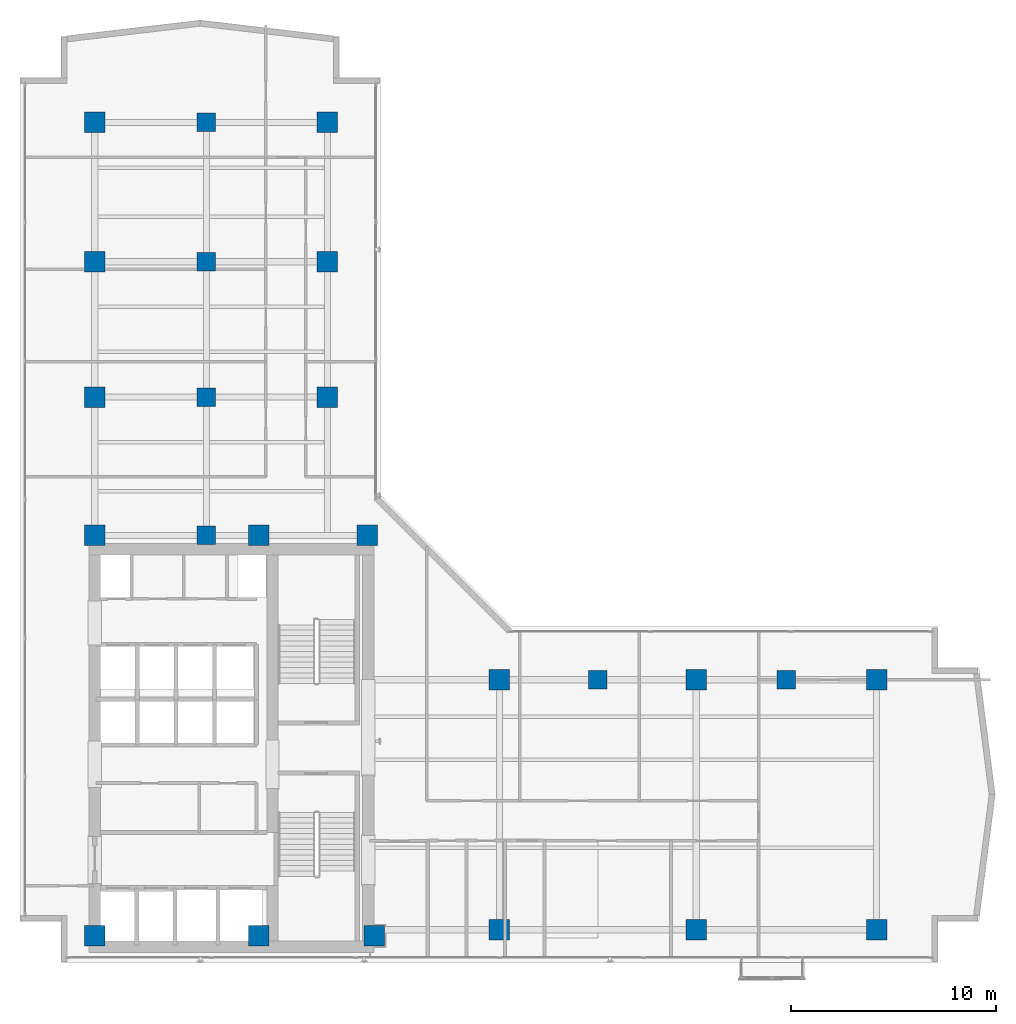
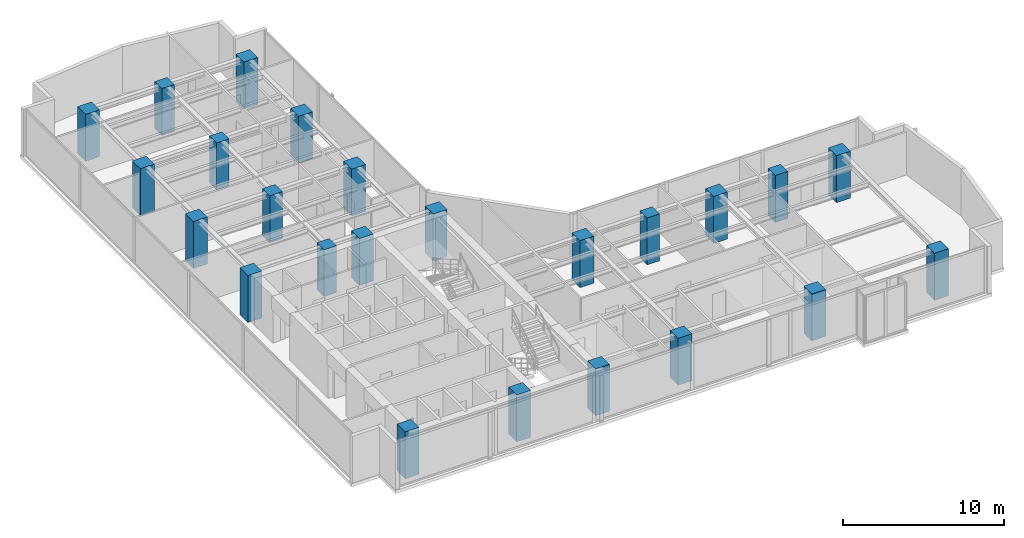
# One storey, part 1 of 23: 24 columns.
"""IFC4 building model written with IfcOpenShell, lengths in metres."""

from ifc_helpers import new_model, si_unit, direction, frame, origin, origin_2d, place, context, subcontext, project, spatial, rectangle, extrude, material, material_profile, profile_set, type_object, element, save


model = new_model("IFC4")

# Units and contexts
model_context = context("Model", 3, precision=1e-05, world=origin(), true_north=direction((0.0, 1.0)))
body_context = subcontext(model_context, "Body", "Model", "MODEL_VIEW")
ifc_project = project(units=[si_unit("LENGTHUNIT", "METRE"), si_unit("AREAUNIT", "SQUARE_METRE"), si_unit("VOLUMEUNIT", "CUBIC_METRE"), si_unit("PLANEANGLEUNIT", "RADIAN"), si_unit("MASSUNIT", "GRAM", prefix="KILO")], contexts=[model_context])

# Site, building, storey
site_placement = place(None, origin())
site = spatial("IfcSite", under=ifc_project, at=site_placement, CompositionType="ELEMENT")
building_placement = place(site_placement, origin())
building = spatial("IfcBuilding", under=site, at=building_placement, Name="Kolvaren Waterfront Exchange", CompositionType="ELEMENT")
storey_placement = place(building_placement, frame((0.0, 0.0, 227.300048828125)))
storey = spatial("IfcBuildingStorey", under=building, at=storey_placement, Name="L58", CompositionType="ELEMENT", Elevation=227.300048828125)

# Columns
ifc_material = material(Name="Concrete C50/60", Category="concrete")
ifc_material_profile_1 = material_profile(ifc_material, rectangle(XDim=1.0, YDim=1.0, at=origin_2d()), Name="RC-COL-1000x1000")
ifc_profile_set_1 = profile_set([ifc_material_profile_1], Name="Concrete C50/60")
column_type_1 = type_object("IfcColumnType", Name="STR-COL-1000-C50", PredefinedType="COLUMN", material=ifc_profile_set_1)
for number, where, z_axis, x_axis, name in (
    (1, (7.449951171875, 4.89990234375, 0.0), (0.0, 0.0, 1.0), (1.0, 0.0, 0.0), "L58 column MC01"),
    (2, (15.449951171875, 4.89990234375, 0.0), (0.0, 0.0, 1.0), (1.0, 0.0, 0.0), "L58 column MC02"),
    (3, (21.10009765625, 4.89990234375, 0.0), (0.0, 0.0, 1.0), (1.0, 0.0, 0.0), "L58 column MC03"),
    (4, (7.449951171875, 24.449951171875, 0.0), (0.0, 0.0, 1.0), (1.0, 0.0, 0.0), "L58 column MC04"),
    (5, (15.449951171875, 24.449951171875, 0.0), (0.0, 0.0, 1.0), (1.0, 0.0, 0.0), "L58 column MC05"),
    (6, (20.75, 24.449951171875, 0.0), (0.0, 0.0, 1.0), (1.0, 0.0, 0.0), "L58 column MC06"),
    (7, (7.449951171875, 31.199951171875, 0.0), (0.0, 0.0, 1.0), (1.0, 0.0, 0.0), "L58 column NC01"),
    (8, (7.449951171875, 37.800048828125, 0.0), (0.0, 0.0, 1.0), (1.0, 0.0, 0.0), "L58 column NC02"),
    (9, (7.449951171875, 44.60009765625, 0.0), (0.0, 0.0, 1.0), (1.0, 0.0, 0.0), "L58 column NC03"),
    (10, (18.800048828125, 31.199951171875, 0.0), (0.0, 0.0, 1.0), (1.0, 0.0, 0.0), "L58 column NC04"),
    (11, (18.800048828125, 37.800048828125, 0.0), (0.0, 0.0, 1.0), (1.0, 0.0, 0.0), "L58 column NC05"),
    (12, (18.800048828125, 44.60009765625, 0.0), (0.0, 0.0, 1.0), (1.0, 0.0, 0.0), "L58 column NC06"),
    (13, (27.199951171875, 5.199951171875, 0.0), (0.0, 0.0, 1.0), (1.0, 0.0, 0.0), "L58 column EC01"),
    (14, (36.800048828125, 5.199951171875, 0.0), (0.0, 0.0, 1.0), (1.0, 0.0, 0.0), "L58 column EC02"),
    (15, (45.60009765625, 5.199951171875, 0.0), (0.0, 0.0, 1.0), (1.0, 0.0, 0.0), "L58 column EC03"),
    (16, (27.199951171875, 17.39990234375, 0.0), (0.0, 0.0, 1.0), (1.0, 0.0, 0.0), "L58 column EC04"),
    (17, (36.800048828125, 17.39990234375, 0.0), (0.0, 0.0, 1.0), (1.0, 0.0, 0.0), "L58 column EC05"),
    (18, (45.60009765625, 17.39990234375, 0.0), (0.0, 0.0, 1.0), (1.0, 0.0, 0.0), "L58 column EC06"),
):
    element("IfcColumn", number, at=place(storey_placement, frame(where, z_axis=z_axis, x_axis=x_axis)), inside=storey, type_object=column_type_1, Name=name, PredefinedType="COLUMN", context=body_context, shape_type="SweptSolid", body=[
        extrude(rectangle(XDim=1.0, YDim=1.0, at=origin_2d()), origin(), (0.0, 0.0, 1.0), 3.56005859375),
    ])
ifc_material_profile_2 = material_profile(ifc_material, rectangle(XDim=0.89990234375, YDim=0.89990234375, at=origin_2d()), Name="RC-COL-900x900")
ifc_profile_set_2 = profile_set([ifc_material_profile_2], Name="Concrete C50/60")
column_type_2 = type_object("IfcColumnType", Name="STR-COL-900-C50", PredefinedType="COLUMN", material=ifc_profile_set_2)
for number, where, z_axis, x_axis, name in (
    (19, (12.89990234375, 24.449951171875, 0.0), (0.0, 0.0, 1.0), (1.0, 0.0, 0.0), "L58 column TC01"),
    (20, (12.89990234375, 31.199951171875, 0.0), (0.0, 0.0, 1.0), (1.0, 0.0, 0.0), "L58 column TC02"),
    (21, (12.89990234375, 37.800048828125, 0.0), (0.0, 0.0, 1.0), (1.0, 0.0, 0.0), "L58 column TC03"),
    (22, (12.89990234375, 44.60009765625, 0.0), (0.0, 0.0, 1.0), (1.0, 0.0, 0.0), "L58 column TC04"),
    (23, (32.0, 17.39990234375, 0.0), (0.0, 0.0, 1.0), (1.0, 0.0, 0.0), "L58 column TC05"),
    (24, (41.199951171875, 17.39990234375, 0.0), (0.0, 0.0, 1.0), (1.0, 0.0, 0.0), "L58 column TC06"),
):
    element("IfcColumn", number, at=place(storey_placement, frame(where, z_axis=z_axis, x_axis=x_axis)), inside=storey, type_object=column_type_2, Name=name, PredefinedType="COLUMN", context=body_context, shape_type="SweptSolid", body=[
        extrude(rectangle(XDim=0.89990234375, YDim=0.89990234375, at=origin_2d()), origin(), (0.0, 0.0, 1.0), 3.56005859375),
    ])

save(model, "model.ifc")
